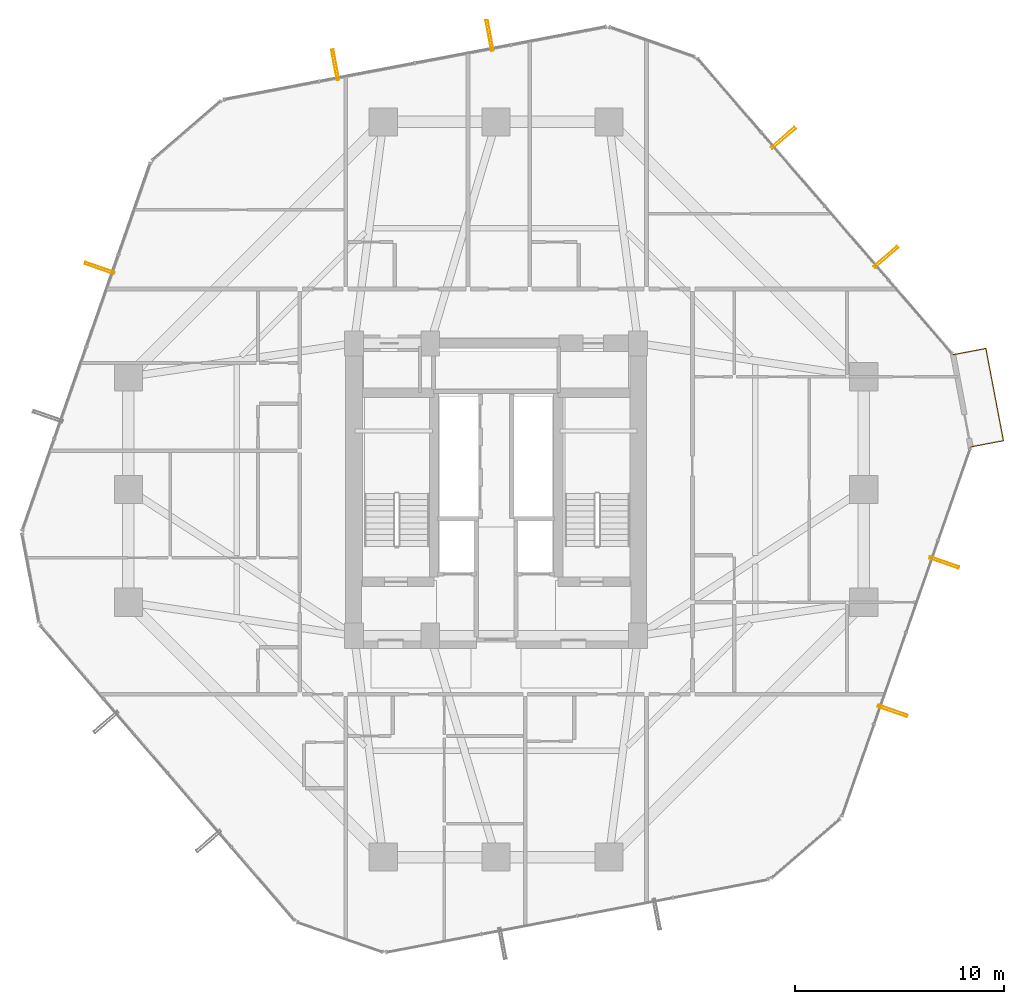
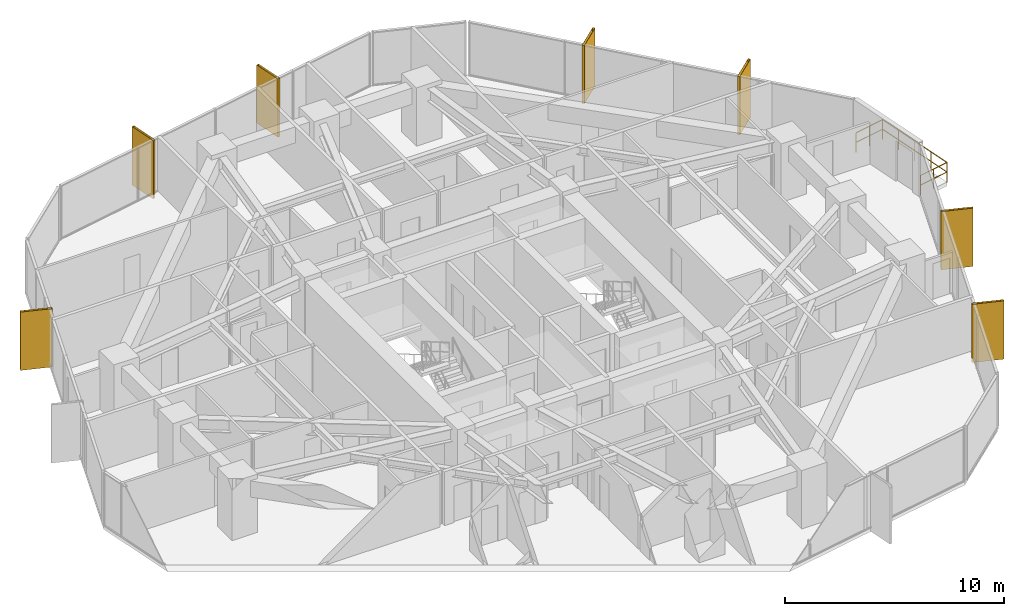
# One storey, part 38 of 38: 7 shading devices, 1 railing.
"""IFC4 building model written with IfcOpenShell, lengths in metres."""

import ifcopenshell
import ifcopenshell.guid

model = None  # the IFC model being written
_history = None  # IfcOwnerHistory: only IFC2X3 demands one
_inside = {}  # id of a spatial element -> (the spatial element, [elements in it])
_under = {}  # id of a project, library or spatial element -> (it, [spatial elements below it])
_declared = {}  # id of a project -> (the project, [libraries it declares])
_typed = {}  # id of a type object -> (the type object, [elements of that type])
_made_of = {}  # id of a material, layer set ... -> (it, [elements and type objects made of it])


def new_model(schema):
    """Start an empty IFC model of exactly this schema.

    Asked for "IFC4X3", IfcOpenShell would pick the latest addendum, in which some entities
    have other attributes; the version numbers below select the first issue.
    IFC2X3 requires an IfcOwnerHistory on every rooted entity: one is made here for all.
    """
    global model, _history
    if schema == "IFC4X3":
        model = ifcopenshell.file(schema_version=(4, 3, 0, 0))
    else:
        model = ifcopenshell.file(schema=schema)
    _inside.clear()
    _under.clear()
    _declared.clear()
    _typed.clear()
    _made_of.clear()
    _history = None
    if model.schema == "IFC2X3":
        org = make("IfcOrganization", Name="unknown")
        user = make(
            "IfcPersonAndOrganization",
            ThePerson=make("IfcPerson", FamilyName="unknown"),
            TheOrganization=org,
        )
        app = make(
            "IfcApplication",
            ApplicationDeveloper=org,
            Version="unknown",
            ApplicationFullName="unknown",
            ApplicationIdentifier="unknown",
        )
        _history = make(
            "IfcOwnerHistory",
            OwningUser=user,
            OwningApplication=app,
            ChangeAction="ADDED",
            CreationDate=0,
        )
    return model


def make(cls, **values):
    """One entity of the class cls with the attributes given. An attribute that is None is left unset."""
    return model.create_entity(
        cls, **{name: value for name, value in values.items() if value is not None}
    )


def rooted(cls, **values):
    """An entity with a GlobalId (a new one), such as an element, a storey or a relation."""
    return make(cls, GlobalId=ifcopenshell.guid.new(), OwnerHistory=_history, **values)


def si_unit(unit_type, name, prefix=None):
    """IfcSIUnit, for example si_unit("LENGTHUNIT", "METRE", prefix="MILLI")."""
    return make("IfcSIUnit", UnitType=unit_type, Prefix=prefix, Name=name)


def assignment(units):
    """IfcUnitAssignment: the units of a project."""
    return None if units is None else make("IfcUnitAssignment", Units=units)


def point(xyz):
    """IfcCartesianPoint."""
    return None if xyz is None else make("IfcCartesianPoint", Coordinates=xyz)


def direction(xyz):
    """IfcDirection."""
    return None if xyz is None else make("IfcDirection", DirectionRatios=xyz)


def frame(location, z_axis=None, x_axis=None):
    """IfcAxis2Placement3D, a coordinate frame: its origin and axes. An axis left out is left unset."""
    return make(
        "IfcAxis2Placement3D",
        Location=point(location),
        Axis=direction(z_axis),
        RefDirection=direction(x_axis),
    )


def frame_2d(location, x_axis=None):
    """IfcAxis2Placement2D, a coordinate frame in the plane: its origin and x axis."""
    return make(
        "IfcAxis2Placement2D", Location=point(location), RefDirection=direction(x_axis)
    )


def origin():
    """The frame at (0, 0, 0) with its axes left unset."""
    return frame((0.0, 0.0, 0.0))


def origin_2d():
    """The frame at (0, 0) in the plane with its x axis left unset."""
    return frame_2d((0.0, 0.0))


def place(relative_to, where):
    """IfcLocalPlacement: puts the frame where relative to a parent placement (None: the world)."""
    return make(
        "IfcLocalPlacement", PlacementRelTo=relative_to, RelativePlacement=where
    )


def context(
    kind, dimensions, precision=None, world=None, true_north=None, identifier=None
):
    """IfcGeometricRepresentationContext, for example the 3D "Model" context."""
    return make(
        "IfcGeometricRepresentationContext",
        ContextIdentifier=identifier,
        ContextType=kind,
        CoordinateSpaceDimension=dimensions,
        Precision=precision,
        WorldCoordinateSystem=world,
        TrueNorth=true_north,
    )


def subcontext(parent, identifier, kind, view, scale=None):
    """IfcGeometricRepresentationSubContext, for example "Body" below "Model"."""
    return make(
        "IfcGeometricRepresentationSubContext",
        ContextIdentifier=identifier,
        ContextType=kind,
        ParentContext=parent,
        TargetScale=scale,
        TargetView=view,
    )


def project(units=None, contexts=None):
    """IfcProject with its units and contexts."""
    return rooted(
        "IfcProject",
        Name="project",
        RepresentationContexts=contexts,
        UnitsInContext=assignment(units),
    )


def spatial(cls, under=None, at=None, **own):
    """A site, building, storey or space (cls), placed at a placement, below another one or the project."""
    s = rooted(cls, ObjectPlacement=at, **own)
    if under is not None:
        _under.setdefault(under.id(), (under, []))[1].append(s)
    return s


def profile(cls, at=None, kind="AREA", **sizes):
    """A parametric profile (cls). Its sizes go by their IFC names, for example OverallWidth=200.0."""
    return make(cls, ProfileType=kind, Position=at, **sizes)


def hollow_rectangle(**sizes):
    """IfcRectangleHollowProfileDef."""
    return profile("IfcRectangleHollowProfileDef", **sizes)


def circle(**sizes):
    """IfcCircleProfileDef."""
    return profile("IfcCircleProfileDef", **sizes)


def extrude(swept, where, along, depth):
    """IfcExtrudedAreaSolid: the profile swept, set in the frame where, extruded along a direction by depth."""
    return make(
        "IfcExtrudedAreaSolid",
        SweptArea=swept,
        Position=where,
        ExtrudedDirection=direction(along),
        Depth=depth,
    )


def shape(context_of_items, identifier, shape_type, items):
    """IfcShapeRepresentation: the items that make up one representation, for example the "Body"."""
    return make(
        "IfcShapeRepresentation",
        ContextOfItems=context_of_items,
        RepresentationIdentifier=identifier,
        RepresentationType=shape_type,
        Items=items,
    )


def material(Name=None, Category=None):
    """IfcMaterial."""
    return make("IfcMaterial", Name=Name, Category=Category)


def material_profile(
    of_material, cross_section, Name=None, Category=None, Priority=None
):
    """IfcMaterialProfile: a cross section and its material."""
    return make(
        "IfcMaterialProfile",
        Name=Name,
        Material=of_material,
        Profile=cross_section,
        Priority=Priority,
        Category=Category,
    )


def profile_set(profiles, Name=None, composite=None):
    """IfcMaterialProfileSet."""
    return make(
        "IfcMaterialProfileSet",
        Name=Name,
        MaterialProfiles=profiles,
        CompositeProfile=composite,
    )


def made_of(thing, what):
    """Note that an element or type object is made of a material, layer set ...; save() writes the relation."""
    if what is not None:
        _made_of.setdefault(what.id(), (what, []))[1].append(thing)
    return thing


def type_object(cls, material=None, **own):
    """A type object (cls), such as IfcWallType, which elements share."""
    return made_of(rooted(cls, **own), material)


def element(
    cls,
    number,
    at=None,
    inside=None,
    cuts=None,
    type_object=None,
    material=None,
    context=None,
    identifier="Body",
    shape_type=None,
    held_by="IfcProductDefinitionShape",
    body=None,
    shapes=None,
    **own,
):
    """One element of the class cls, such as IfcWall. Its Tag is "e" and its number.

    at: its placement. inside: the storey or other place that contains it. cuts: it is an
    opening in that element (IfcRelVoidsElement). A single representation is given by context,
    identifier, shape_type and body (its items); several are given by shapes. held_by: the class
    of the entity that holds the representations. save() writes the other relations.
    """
    e = rooted(cls, Tag="e%d" % number, ObjectPlacement=at, **own)
    if body is not None:
        shapes = [shape(context, identifier, shape_type, body)]
    if shapes is not None:
        e.Representation = make(held_by, Representations=shapes)
    if inside is not None:
        _inside.setdefault(inside.id(), (inside, []))[1].append(e)
    if cuts is not None:
        rooted(
            "IfcRelVoidsElement", RelatingBuildingElement=cuts, RelatedOpeningElement=e
        )
    if type_object is not None:
        _typed.setdefault(type_object.id(), (type_object, []))[1].append(e)
    return made_of(e, material)


def aggregate(whole, parts):
    """IfcRelAggregates: a whole, such as a stair, and the parts it consists of."""
    return rooted("IfcRelAggregates", RelatingObject=whole, RelatedObjects=parts)


def save(model, path):
    """Write the relations noted so far, then the file.

    IfcRelAggregates (storeys below a building ...), IfcRelContainedInSpatialStructure (elements
    in a storey), IfcRelDefinesByType, IfcRelAssociatesMaterial and IfcRelDeclares: one each for
    every whole, place, type object, material and project.
    """
    for whole, parts in _under.values():
        aggregate(whole, parts)
    for where, things in _inside.values():
        rooted(
            "IfcRelContainedInSpatialStructure",
            RelatedElements=things,
            RelatingStructure=where,
        )
    for kind, things in _typed.values():
        rooted("IfcRelDefinesByType", RelatedObjects=things, RelatingType=kind)
    for what, things in _made_of.values():
        rooted("IfcRelAssociatesMaterial", RelatedObjects=things, RelatingMaterial=what)
    for by, libraries in _declared.values():
        rooted("IfcRelDeclares", RelatingContext=by, RelatedDefinitions=libraries)
    model.write(path)


model = new_model("IFC4")

# Units and contexts
model_context = context("Model", 3, precision=1e-05, world=origin(), true_north=direction((0.0, 1.0)))
body_context = subcontext(model_context, "Body", "Model", "MODEL_VIEW")
ifc_project = project(units=[si_unit("LENGTHUNIT", "METRE"), si_unit("AREAUNIT", "SQUARE_METRE"), si_unit("VOLUMEUNIT", "CUBIC_METRE"), si_unit("PLANEANGLEUNIT", "RADIAN"), si_unit("MASSUNIT", "GRAM", prefix="KILO")], contexts=[model_context])

# Site, building, storey
site_placement = place(None, origin())
site = spatial("IfcSite", under=ifc_project, at=site_placement, CompositionType="ELEMENT")
building_placement = place(site_placement, origin())
building = spatial("IfcBuilding", under=site, at=building_placement, Name="Veraguas Prism Commons", CompositionType="ELEMENT")
storey_placement = place(building_placement, frame((0.0, 0.0, 60.85009765625)))
storey = spatial("IfcBuildingStorey", under=building, at=storey_placement, Name="L16", CompositionType="ELEMENT", Elevation=60.85009765625)

# Shading devices
ifc_material_1 = material(Name="Anodised aluminium EN AW-6063 T6", Category="aluminium")
ifc_material_profile = material_profile(ifc_material_1, hollow_rectangle(XDim=0.1201171875, YDim=1.489990234375, WallThickness=0.006103515625, at=origin_2d()), Name="FIN120X1490X6")
ifc_profile_set = profile_set([ifc_material_profile], Name="Anodised aluminium EN AW-6063 T6")
shading_device_type = type_object("IfcShadingDeviceType", Name="Deep Pale-Metal Vertical Solar Fin 120x1490", PredefinedType="USERDEFINED", material=ifc_profile_set)
for number, where, z_axis, x_axis, name in (
    (1, (42.668212890625, 35.135986328125, -0.22998046875), (0.0, 0.0, 1.0), (-0.653152358244, 0.757226516255, 0.0), "Vertical Pale-Metal Solar Fin L16-F1A"),
    (2, (37.755615234375, 40.83154296875, -0.22998046875), (0.0, 0.0, 1.0), (-0.653152358244, 0.757226516255, 0.0), "Vertical Pale-Metal Solar Fin L16-F1B"),
    (3, (23.68994140625, 45.735107421875, -0.22998046875), (0.0, 0.0, 1.0), (-0.982352925743, -0.187036705713, 0.0), "Vertical Pale-Metal Solar Fin L16-F2A"),
    (4, (16.30126953125, 44.328369140625, -0.22998046875), (0.0, 0.0, 1.0), (-0.982352925743, -0.187036705713, 0.0), "Vertical Pale-Metal Solar Fin L16-F2B"),
    (5, (5.021728515625, 34.59912109375, -0.22998046875), (0.0, 0.0, 1.0), (-0.329197924284, -0.944260942032, 0.0), "Vertical Pale-Metal Solar Fin L16-F3A"),
    (6, (42.978271484375, 13.40087890625, -0.22998046875), (0.0, 0.0, 1.0), (0.329197924284, 0.944260942032, 0.0), "Vertical Pale-Metal Solar Fin L16-F6A"),
    (7, (45.454345703125, 20.503173828125, -0.22998046875), (0.0, 0.0, 1.0), (0.329197924284, 0.944260942032, 0.0), "Vertical Pale-Metal Solar Fin L16-F6B"),
):
    element("IfcShadingDevice", number, at=place(storey_placement, frame(where, z_axis=z_axis, x_axis=x_axis)), inside=storey, type_object=shading_device_type, Name=name, ObjectType="FIN", PredefinedType="USERDEFINED", context=body_context, shape_type="SweptSolid", body=[
        extrude(hollow_rectangle(XDim=0.1201171875, YDim=1.489990234375, WallThickness=0.006103515625, at=origin_2d()), origin(), (0.0, 0.0, 1.0), 3.25),
    ])

# Railing
ifc_material_2 = material(Name="Stainless steel AISI 316", Category="steel")
railing_type = type_object("IfcRailingType", Name="Loggia and Sky Pool Glazed Balustrade 1120", PredefinedType="BALUSTRADE", material=ifc_material_2)
railing_placement = place(storey_placement, frame((46.72119140625, 26.03564453125, 0.0)))
element("IfcRailing", 8, at=railing_placement, inside=storey, type_object=railing_type, Name="Recessed Corner Loggia L16-C1 Guard", PredefinedType="BALUSTRADE", context=body_context, shape_type="SweptSolid", body=[
    extrude(circle(Radius=0.02392578125, at=origin_2d()), frame((0.0, 0.0, 1.09619140625), z_axis=(0.982346578774, 0.187070038145, 0.0), x_axis=(-0.187070038145, 0.982346578774, 0.0)), (0.0, 0.0, 1.0), 1.60009765625),
    extrude(circle(Radius=0.02392578125, at=origin_2d()), frame((0.0, 0.0, 0.56005859375), z_axis=(0.982346578774, 0.187070038145, 0.0), x_axis=(-0.187070038145, 0.982346578774, 0.0)), (0.0, 0.0, 1.0), 1.60009765625),
    extrude(circle(Radius=0.02392578125, at=origin_2d()), frame((1.57177734375, 0.29931640625, 1.09619140625), z_axis=(-0.187009892909, 0.982358030432, 0.0), x_axis=(-0.982358030432, -0.187009892909, 0.0)), (0.0, 0.0, 1.0), 4.5),
    extrude(circle(Radius=0.02392578125, at=origin_2d()), frame((1.57177734375, 0.29931640625, 0.56005859375), z_axis=(-0.187009892909, 0.982358030432, 0.0), x_axis=(-0.982358030432, -0.187009892909, 0.0)), (0.0, 0.0, 1.0), 4.5),
    extrude(circle(Radius=0.02392578125, at=origin_2d()), frame((0.730224609375, 4.719970703125, 1.09619140625), z_axis=(-0.98235191734, -0.187042001966, 0.0), x_axis=(0.187042001966, -0.98235191734, 0.0)), (0.0, 0.0, 1.0), 1.600341796875),
    extrude(circle(Radius=0.02392578125, at=origin_2d()), frame((0.730224609375, 4.719970703125, 0.56005859375), z_axis=(-0.98235191734, -0.187042001966, 0.0), x_axis=(0.187042001966, -0.98235191734, 0.0)), (0.0, 0.0, 1.0), 1.600341796875),
    extrude(circle(Radius=0.02099609375, at=origin_2d()), origin(), (0.0, 0.0, 1.0), 1.072021484375),
    extrude(circle(Radius=0.02099609375, at=origin_2d()), frame((0.785888671875, 0.149658203125, 0.0)), (0.0, 0.0, 1.0), 1.072021484375),
    extrude(circle(Radius=0.02099609375, at=origin_2d()), frame((1.57177734375, 0.29931640625, 0.0)), (0.0, 0.0, 1.0), 1.072021484375),
    extrude(circle(Radius=0.02099609375, at=origin_2d()), frame((1.361328125, 1.404541015625, 0.0)), (0.0, 0.0, 1.0), 1.072021484375),
    extrude(circle(Radius=0.02099609375, at=origin_2d()), frame((1.15087890625, 2.509765625, 0.0)), (0.0, 0.0, 1.0), 1.072021484375),
    extrude(circle(Radius=0.02099609375, at=origin_2d()), frame((0.940673828125, 3.61474609375, 0.0)), (0.0, 0.0, 1.0), 1.072021484375),
    extrude(circle(Radius=0.02099609375, at=origin_2d()), frame((0.730224609375, 4.719970703125, 0.0)), (0.0, 0.0, 1.0), 1.072021484375),
    extrude(circle(Radius=0.02099609375, at=origin_2d()), frame((-0.0556640625, 4.5703125, 0.0)), (0.0, 0.0, 1.0), 1.072021484375),
    extrude(circle(Radius=0.02099609375, at=origin_2d()), frame((-0.841796875, 4.420654296875, 0.0)), (0.0, 0.0, 1.0), 1.072021484375),
])

save(model, "model.ifc")
